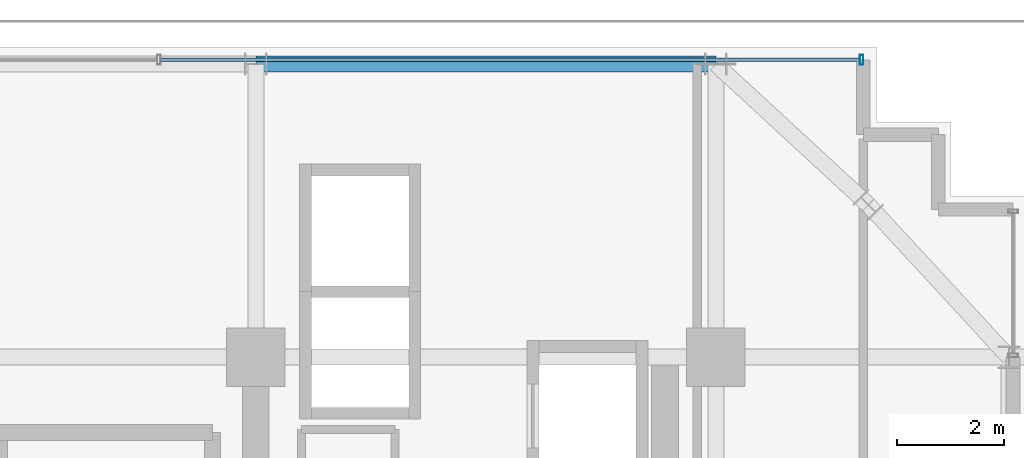
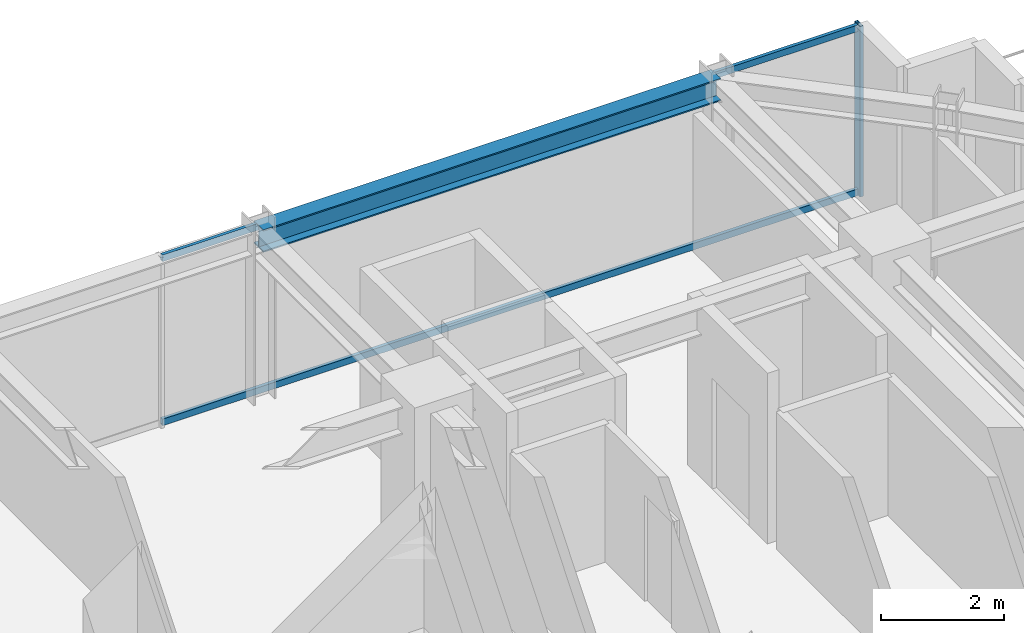
# One storey, part 23 of 33: 3 members, 1 beam, 1 element without a shape of its own.
"""IFC4 building model written with IfcOpenShell, lengths in metres."""

from ifc_helpers import new_model, si_unit, direction, frame, origin, origin_2d, place, context, subcontext, project, spatial, hollow_rectangle, i_section, extrude, source, transform, mapped, material, material_profile, profile_set, type_object, element, aggregate, save


model = new_model("IFC4")

# Units and contexts
model_context = context("Model", 3, precision=1e-05, world=origin(), true_north=direction((0.0, 1.0)))
body_context = subcontext(model_context, "Body", "Model", "MODEL_VIEW")
ifc_project = project(units=[si_unit("LENGTHUNIT", "METRE"), si_unit("AREAUNIT", "SQUARE_METRE"), si_unit("VOLUMEUNIT", "CUBIC_METRE"), si_unit("PLANEANGLEUNIT", "RADIAN"), si_unit("MASSUNIT", "GRAM", prefix="KILO")], contexts=[model_context])

# Site, building, storey
site_placement = place(None, origin())
site = spatial("IfcSite", under=ifc_project, at=site_placement, CompositionType="ELEMENT")
building_placement = place(site_placement, origin())
building = spatial("IfcBuilding", under=site, at=building_placement, Name="Nahalor Promenade Grand Hotel", CompositionType="ELEMENT")
storey_placement = place(building_placement, frame((0.0, 0.0, 149.0)))
storey = spatial("IfcBuildingStorey", under=building, at=storey_placement, Name="L37", CompositionType="ELEMENT", Elevation=149.0)

# Beam
ifc_material_1 = material(Name="Steel S355JR", Category="steel")
ifc_material_profile_1 = material_profile(ifc_material_1, i_section(OverallWidth=0.3, OverallDepth=0.45, WebThickness=0.014, FlangeThickness=0.026, at=origin_2d()), Name="HEB 450")
ifc_profile_set_1 = profile_set([ifc_material_profile_1], Name="Steel S355JR")
beam_type = type_object("IfcBeamType", Name="Beam-Spandrel-HEB450", PredefinedType="SPANDREL", material=ifc_profile_set_1)
shared_shape_1 = source(origin(), body_context, "Body", "SweptSolid", [
    extrude(i_section(OverallWidth=0.3, OverallDepth=0.45, WebThickness=0.014, FlangeThickness=0.026, at=origin_2d()), origin(), (0.0, 0.0, 1.0), 8.60009765625),
])
beam_placement = place(storey_placement, frame((8.39990234375, 22.47998046875, 3.1650390625), z_axis=(1.0, 0.0, 0.0), x_axis=(0.0, 1.0, 0.0)))
element("IfcBeam", 1, at=beam_placement, inside=storey, type_object=beam_type, Name="BM-L37-SP-N-4", PredefinedType="SPANDREL", context=body_context, shape_type="MappedRepresentation", body=[
    mapped(shared_shape_1, transform((0.0, 0.0, 0.0), scale=1.0)),
])

# Curtain wall, members
ifc_material_2 = material(Name="Anodised Bronze Aluminium EN AW-6063 T6", Category="aluminium")
curtain_wall_type = type_object("IfcCurtainWallType", Name="CW2 Typical Hotel Flush Bronze Unitised Curtain Wall", PredefinedType="USERDEFINED", material=ifc_material_2)
curtain_wall_placement = place(storey_placement, origin())
curtain_wall = element("IfcCurtainWall", 2, at=curtain_wall_placement, inside=storey, type_object=curtain_wall_type, Name="L37 Curtain Wall CW-L37-N-1", ObjectType="UNITISED_CURTAIN_WALL", PredefinedType="USERDEFINED")
ifc_material_profile_2 = material_profile(ifc_material_2, hollow_rectangle(XDim=0.065, YDim=0.18, WallThickness=0.004, at=origin_2d()), Name="CWM 65x180x4")
ifc_profile_set_2 = profile_set([ifc_material_profile_2], Name="Anodised Bronze Aluminium EN AW-6063 T6")
member_type_1 = type_object("IfcMemberType", Name="CWM2 Typical Bronze Mullion 65x180", PredefinedType="MULLION", material=ifc_profile_set_2)
shared_shape_2 = source(origin(), body_context, "Body", "SweptSolid", [
    extrude(hollow_rectangle(XDim=0.065, YDim=0.18, WallThickness=0.004, at=origin_2d()), origin(), (0.0, 0.0, 1.0), 3.389892578125),
])
member_1_placement = place(storey_placement, frame((19.7275390625, 22.56005859375, 0.0), z_axis=(0.0, 0.0, 1.0), x_axis=(1.0, 0.0, 0.0)))
member_1 = element("IfcMember", 3, at=member_1_placement, type_object=member_type_1, Name="CW-L37-N-1 Mullion 3", PredefinedType="MULLION", context=body_context, shape_type="MappedRepresentation", body=[
    mapped(shared_shape_2, transform((0.0, 0.0, 0.0), scale=1.0)),
])
ifc_material_profile_3 = material_profile(ifc_material_2, hollow_rectangle(XDim=0.065, YDim=0.13, WallThickness=0.004, at=origin_2d()), Name="CWT 65x130x4")
ifc_profile_set_3 = profile_set([ifc_material_profile_3], Name="Anodised Bronze Aluminium EN AW-6063 T6")
member_type_2 = type_object("IfcMemberType", Name="CWT2 Typical Bronze Transom 65x130", PredefinedType="USERDEFINED", material=ifc_profile_set_3)
shared_shape_3 = source(origin(), body_context, "Body", "SweptSolid", [
    extrude(hollow_rectangle(XDim=0.065, YDim=0.13, WallThickness=0.004, at=origin_2d()), origin(), (0.0, 0.0, 1.0), 13.075927734375),
])
member_2_placement = place(storey_placement, frame((6.619140625, 22.56005859375, 0.06494140625), z_axis=(1.0, 0.0, 0.0), x_axis=(0.0, 1.0, 0.0)))
member_2 = element("IfcMember", 4, at=member_2_placement, type_object=member_type_2, Name="CW-L37-N-1 Transom 2-0", ObjectType="TRANSOM", PredefinedType="USERDEFINED", context=body_context, shape_type="MappedRepresentation", body=[
    mapped(shared_shape_3, transform((0.0, 0.0, 0.0), scale=1.0)),
])
member_3_placement = place(storey_placement, frame((6.619140625, 22.56005859375, 3.324951171875), z_axis=(1.0, 0.0, 0.0), x_axis=(0.0, 1.0, 0.0)))
member_3 = element("IfcMember", 5, at=member_3_placement, type_object=member_type_2, Name="CW-L37-N-1 Transom 2-1", ObjectType="TRANSOM", PredefinedType="USERDEFINED", context=body_context, shape_type="MappedRepresentation", body=[
    mapped(shared_shape_3, transform((0.0, 0.0, 0.0), scale=1.0)),
])
aggregate(curtain_wall, [member_1, member_2, member_3])

save(model, "model.ifc")
